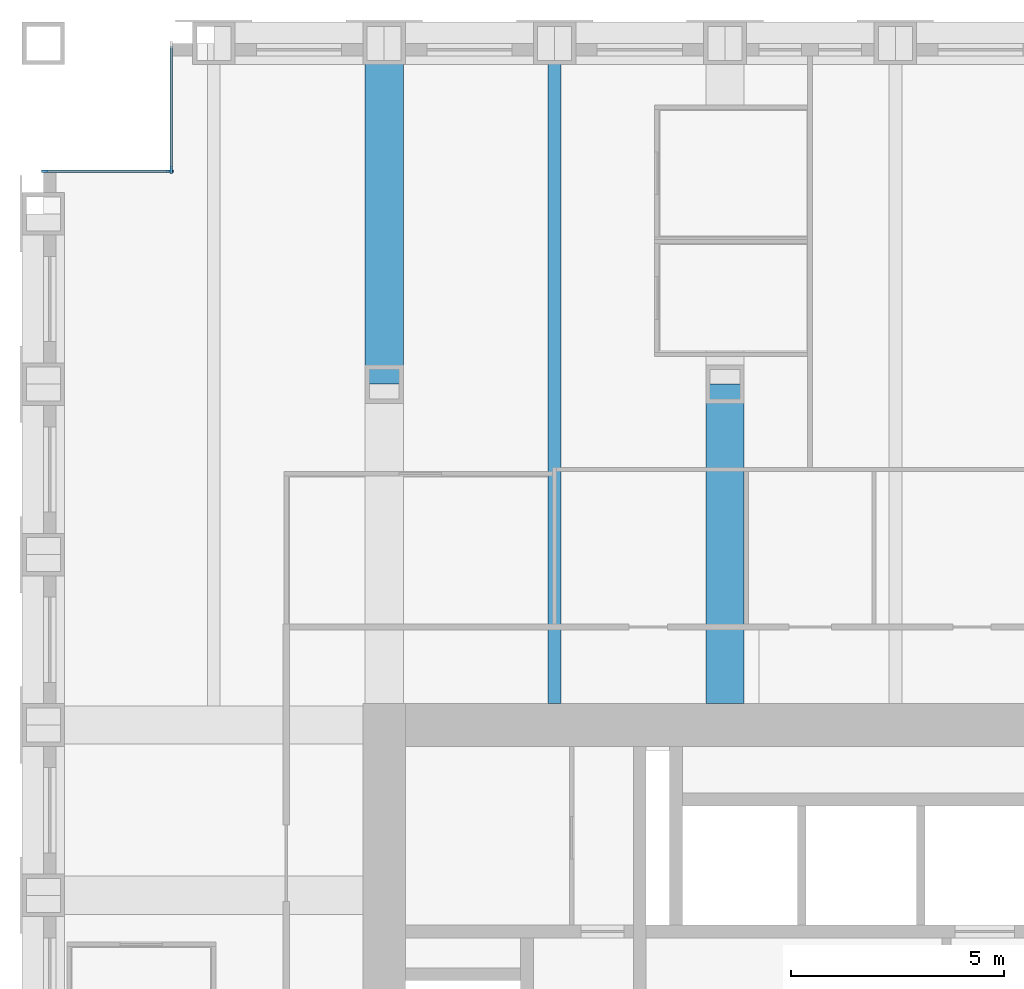
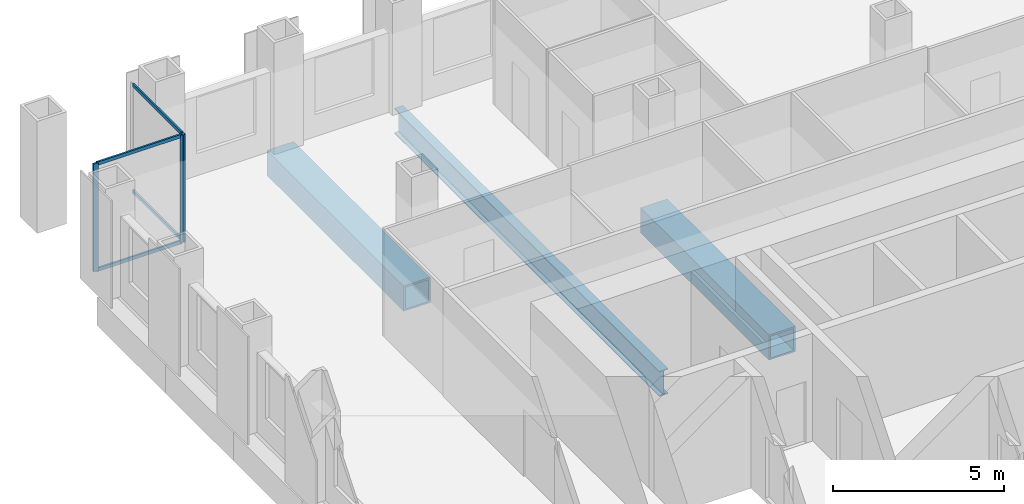
# One storey, part 6 of 16: 7 members, 3 beams, 2 elements without a shape of their own.
"""IFC4 building model written with IfcOpenShell, lengths in metres."""

from ifc_helpers import new_model, si_unit, direction, frame, origin, origin_2d, place, context, subcontext, project, spatial, rectangle, hollow_rectangle, i_section, extrude, material, material_profile, profile_set, type_object, element, aggregate, save


model = new_model("IFC4")

# Units and contexts
model_context = context("Model", 3, precision=1e-05, world=origin(), true_north=direction((0.0, 1.0)))
body_context = subcontext(model_context, "Body", "Model", "MODEL_VIEW")
ifc_project = project(units=[si_unit("LENGTHUNIT", "METRE"), si_unit("AREAUNIT", "SQUARE_METRE"), si_unit("VOLUMEUNIT", "CUBIC_METRE"), si_unit("PLANEANGLEUNIT", "RADIAN"), si_unit("MASSUNIT", "GRAM", prefix="KILO")], contexts=[model_context])

# Site, building, storey
site_placement = place(None, origin())
site = spatial("IfcSite", under=ifc_project, at=site_placement, CompositionType="ELEMENT")
building_placement = place(site_placement, origin())
building = spatial("IfcBuilding", under=site, at=building_placement, Name="Rimbunsela Tower", CompositionType="ELEMENT")
storey_placement = place(building_placement, frame((0.0, 0.0, 125.39990234375)))
storey = spatial("IfcBuildingStorey", under=building, at=storey_placement, Name="L30", CompositionType="ELEMENT", Elevation=125.39990234375)

# Beams
ifc_material_1 = material(Name="Steel BJ 55 (fy 410 MPa)", Category="steel")
ifc_material_profile_1 = material_profile(ifc_material_1, hollow_rectangle(XDim=0.89990234375, YDim=0.89990234375, WallThickness=0.06005859375, at=origin_2d()), Name="BOX 900x900x60")
ifc_profile_set_1 = profile_set([ifc_material_profile_1], Name="Steel BJ 55 (fy 410 MPa)")
beam_type_1 = type_object("IfcBeamType", Name="Beam BOX 900x900x60", PredefinedType="BEAM", material=ifc_profile_set_1)
beam_1_placement = place(storey_placement, frame((18.0, 44.0, -0.599853515625), z_axis=(0.0, 1.0, 0.0), x_axis=(-1.0, 0.0, 0.0)))
element("IfcBeam", 1, at=beam_1_placement, inside=storey, type_object=beam_type_1, Name="Beam B1 L30", PredefinedType="BEAM", context=body_context, shape_type="SweptSolid", body=[
    extrude(hollow_rectangle(XDim=0.89990234375, YDim=0.89990234375, WallThickness=0.06005859375, at=origin_2d()), origin(), (0.0, 0.0, 1.0), 8.0),
])
beam_2_placement = place(storey_placement, frame((26.0, 36.5, -0.599853515625), z_axis=(0.0, 1.0, 0.0), x_axis=(-1.0, 0.0, 0.0)))
element("IfcBeam", 2, at=beam_2_placement, inside=storey, type_object=beam_type_1, Name="Beam B1 L30", PredefinedType="BEAM", context=body_context, shape_type="SweptSolid", body=[
    extrude(hollow_rectangle(XDim=0.89990234375, YDim=0.89990234375, WallThickness=0.06005859375, at=origin_2d()), origin(), (0.0, 0.0, 1.0), 7.5),
])
ifc_material_2 = material(Name="Steel BJ 55 (fy 410 MPa)", Category="steel")
ifc_material_profile_2 = material_profile(ifc_material_2, i_section(OverallWidth=0.300048828125, OverallDepth=0.89990234375, WebThickness=0.01611328125, FlangeThickness=0.028076171875, FilletRadius=0.028076171875, at=origin_2d()), Name="H 900x300x16x28")
ifc_profile_set_2 = profile_set([ifc_material_profile_2], Name="Steel BJ 55 (fy 410 MPa)")
beam_type_2 = type_object("IfcBeamType", Name="Beam H 900x300x16x28", PredefinedType="BEAM", material=ifc_profile_set_2)
beam_3_placement = place(storey_placement, frame((22.0, 36.5, -0.599853515625), z_axis=(0.0, 1.0, 0.0), x_axis=(-1.0, 0.0, 0.0)))
element("IfcBeam", 3, at=beam_3_placement, inside=storey, type_object=beam_type_2, Name="Beam B2 L30", PredefinedType="BEAM", context=body_context, shape_type="SweptSolid", body=[
    extrude(i_section(OverallWidth=0.300048828125, OverallDepth=0.89990234375, WebThickness=0.01611328125, FlangeThickness=0.028076171875, FilletRadius=0.028076171875, at=origin_2d()), origin(), (0.0, 0.0, 1.0), 15.5),
])

# Curtain wall, member
ifc_material_3 = material(Name="Aluminium curtain wall", Category="aluminium")
curtain_wall_type = type_object("IfcCurtainWallType", Name="Corner glazing", PredefinedType="USERDEFINED", material=ifc_material_3)
curtain_wall_1_placement = place(storey_placement, origin())
curtain_wall_1 = element("IfcCurtainWall", 4, at=curtain_wall_1_placement, inside=storey, type_object=curtain_wall_type, Name="Corner glazing L30", ObjectType="CORNER GLAZING", PredefinedType="USERDEFINED")
ifc_material_4 = material(Name="Aluminium mullion", Category="aluminium")
ifc_material_profile_3 = material_profile(ifc_material_4, rectangle(XDim=0.06005859375, YDim=0.159912109375, at=origin_2d()), Name="Mullion 60x160")
ifc_profile_set_3 = profile_set([ifc_material_profile_3], Name="Aluminium mullion")
member_type_1 = type_object("IfcMemberType", Name="Curtain wall mullion 60x160", PredefinedType="MULLION", material=ifc_profile_set_3)
member_1_placement = place(storey_placement, frame((13.0, 49.030029296875, 0.0), z_axis=(0.0, 0.0, 1.0), x_axis=(1.0, 0.0, 0.0)))
member_1 = element("IfcMember", 5, at=member_1_placement, type_object=member_type_1, Name="CW5 mullion 2", PredefinedType="MULLION", context=body_context, shape_type="SweptSolid", body=[
    extrude(rectangle(XDim=0.06005859375, YDim=0.159912109375, at=origin_2d()), origin(), (0.0, 0.0, 1.0), 3.85009765625),
])

# Curtain wall, members
curtain_wall_2_placement = place(storey_placement, origin())
curtain_wall_2 = element("IfcCurtainWall", 6, at=curtain_wall_2_placement, inside=storey, type_object=curtain_wall_type, Name="Corner glazing L30", ObjectType="CORNER GLAZING", PredefinedType="USERDEFINED")
member_2_placement = place(storey_placement, frame((12.969970703125, 49.0, 0.0), z_axis=(0.0, 0.0, 1.0), x_axis=(0.0, -1.0, 0.0)))
member_2 = element("IfcMember", 7, at=member_2_placement, type_object=member_type_1, Name="CW5 mullion 1", PredefinedType="MULLION", context=body_context, shape_type="SweptSolid", body=[
    extrude(rectangle(XDim=0.06005859375, YDim=0.159912109375, at=origin_2d()), origin(), (0.0, 0.0, 1.0), 3.85009765625),
])
member_3_placement = place(storey_placement, frame((10.030029296875, 49.0, 0.0), z_axis=(0.0, 0.0, 1.0), x_axis=(0.0, -1.0, 0.0)))
member_3 = element("IfcMember", 8, at=member_3_placement, type_object=member_type_1, Name="CW5 mullion 2", PredefinedType="MULLION", context=body_context, shape_type="SweptSolid", body=[
    extrude(rectangle(XDim=0.06005859375, YDim=0.159912109375, at=origin_2d()), origin(), (0.0, 0.0, 1.0), 3.85009765625),
])

# Member
ifc_material_5 = material(Name="Aluminium transom", Category="aluminium")
ifc_material_profile_4 = material_profile(ifc_material_5, rectangle(XDim=0.06005859375, YDim=0.1201171875, at=origin_2d()), Name="Transom 60x120")
ifc_profile_set_4 = profile_set([ifc_material_profile_4], Name="Aluminium transom")
member_type_2 = type_object("IfcMemberType", Name="Curtain wall transom 60x120", PredefinedType="USERDEFINED", material=ifc_profile_set_4)
member_4_placement = place(storey_placement, frame((13.0, 51.93994140625, 0.030029296875), z_axis=(0.0, -1.0, 0.0), x_axis=(1.0, 0.0, 0.0)))
member_4 = element("IfcMember", 9, at=member_4_placement, type_object=member_type_2, Name="CW5 transom 1.1", ObjectType="TRANSOM", PredefinedType="USERDEFINED", context=body_context, shape_type="SweptSolid", body=[
    extrude(rectangle(XDim=0.06005859375, YDim=0.1201171875, at=origin_2d()), origin(), (0.0, 0.0, 1.0), 2.8798828125),
])

member_5_placement = place(storey_placement, frame((13.0, 51.93994140625, 3.820068359375), z_axis=(0.0, -1.0, 0.0), x_axis=(1.0, 0.0, 0.0)))
member_5 = element("IfcMember", 10, at=member_5_placement, type_object=member_type_2, Name="CW5 transom 1.2", ObjectType="TRANSOM", PredefinedType="USERDEFINED", context=body_context, shape_type="SweptSolid", body=[
    extrude(rectangle(XDim=0.06005859375, YDim=0.1201171875, at=origin_2d()), origin(), (0.0, 0.0, 1.0), 2.8798828125),
])

aggregate(curtain_wall_1, [member_1, member_4, member_5])

member_6_placement = place(storey_placement, frame((12.93994140625, 49.0, 0.030029296875), z_axis=(-1.0, 0.0, 0.0), x_axis=(0.0, -1.0, 0.0)))
member_6 = element("IfcMember", 11, at=member_6_placement, type_object=member_type_2, Name="CW5 transom 1.1", ObjectType="TRANSOM", PredefinedType="USERDEFINED", context=body_context, shape_type="SweptSolid", body=[
    extrude(rectangle(XDim=0.06005859375, YDim=0.1201171875, at=origin_2d()), origin(), (0.0, 0.0, 1.0), 2.8798828125),
])

member_7_placement = place(storey_placement, frame((12.93994140625, 49.0, 3.820068359375), z_axis=(-1.0, 0.0, 0.0), x_axis=(0.0, -1.0, 0.0)))
member_7 = element("IfcMember", 12, at=member_7_placement, type_object=member_type_2, Name="CW5 transom 1.2", ObjectType="TRANSOM", PredefinedType="USERDEFINED", context=body_context, shape_type="SweptSolid", body=[
    extrude(rectangle(XDim=0.06005859375, YDim=0.1201171875, at=origin_2d()), origin(), (0.0, 0.0, 1.0), 2.8798828125),
])

aggregate(curtain_wall_2, [member_2, member_3, member_6, member_7])

save(model, "model.ifc")
